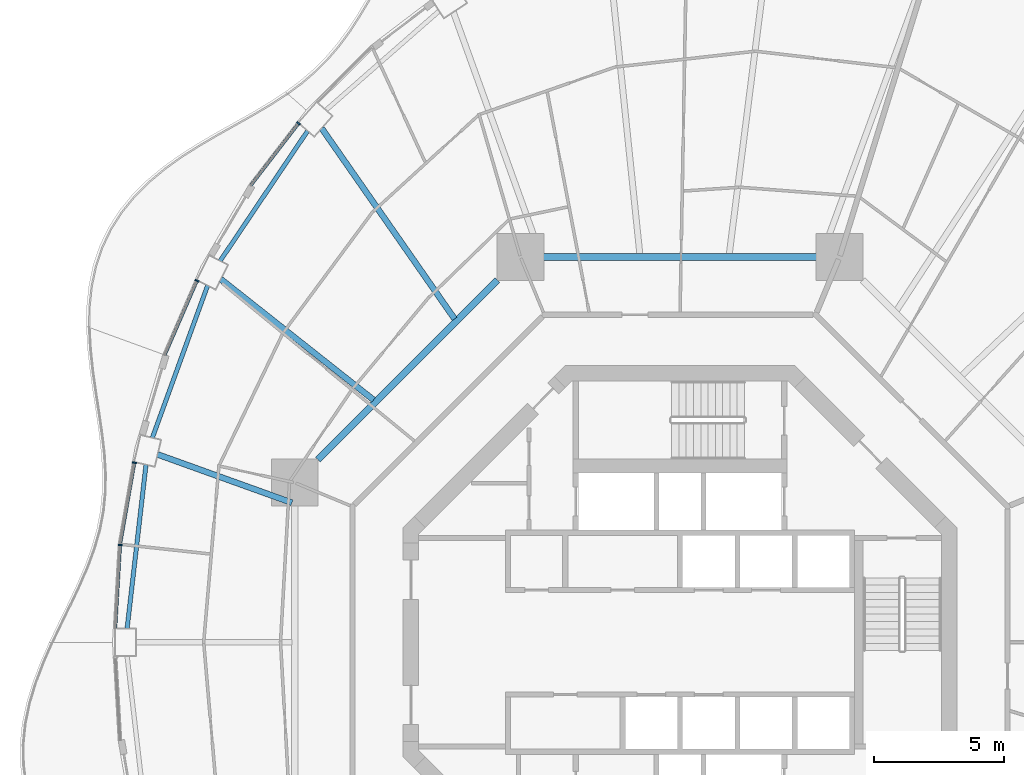
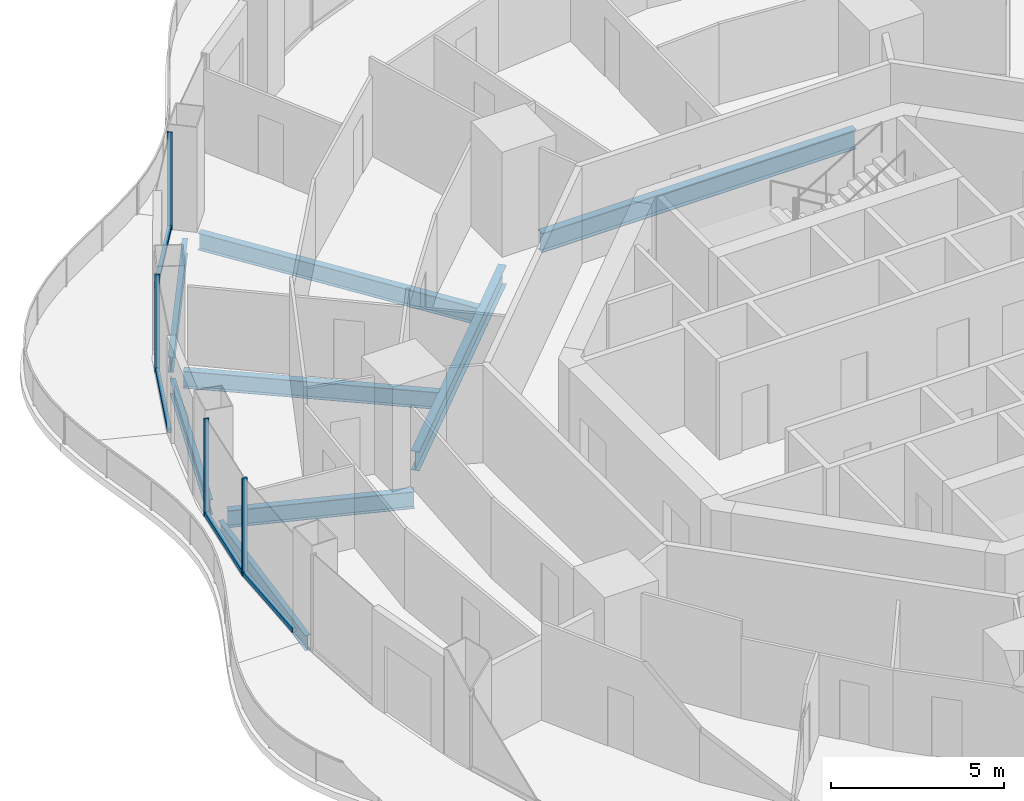
# One storey, part 6 of 19: 8 beams, 8 members, 4 elements without a shape of their own.
"""IFC4 building model written with IfcOpenShell, lengths in metres."""

from ifc_helpers import new_model, si_unit, direction, frame, origin, origin_2d, place, context, subcontext, project, spatial, rectangle, i_section, extrude, material, layer, layer_set, material_profile, profile_set, type_object, element, aggregate, save


model = new_model("IFC4")

# Units and contexts
model_context = context("Model", 3, precision=1e-05, world=origin(), true_north=direction((0.0, 1.0)))
body_context = subcontext(model_context, "Body", "Model", "MODEL_VIEW")
ifc_project = project(units=[si_unit("LENGTHUNIT", "METRE"), si_unit("AREAUNIT", "SQUARE_METRE"), si_unit("VOLUMEUNIT", "CUBIC_METRE"), si_unit("PLANEANGLEUNIT", "RADIAN"), si_unit("MASSUNIT", "GRAM", prefix="KILO")], contexts=[model_context])

# Site, building, storey
site_placement = place(None, origin())
site = spatial("IfcSite", under=ifc_project, at=site_placement, CompositionType="ELEMENT")
building_placement = place(site_placement, origin())
building = spatial("IfcBuilding", under=site, at=building_placement, Name="Nagisa Residences", CompositionType="ELEMENT")
storey_placement = place(building_placement, frame((0.0, 0.0, 177.0)))
storey = spatial("IfcBuildingStorey", under=building, at=storey_placement, Name="L44", CompositionType="ELEMENT", Elevation=177.0)

# Curtain wall, member
ifc_material_1 = material(Name="Concrete-coloured aluminium curtain wall system", Category="concrete")
ifc_layer = layer(ifc_material_1, 0.159912109375)
ifc_layer_set = layer_set([ifc_layer], Name="CW1 CURTAIN WALL")
curtain_wall_type = type_object("IfcCurtainWallType", Name="CW1 CURTAIN WALL", PredefinedType="NOTDEFINED", material=ifc_layer_set)
curtain_wall_1_placement = place(storey_placement, origin())
curtain_wall_1 = element("IfcCurtainWall", 1, at=curtain_wall_1_placement, inside=storey, type_object=curtain_wall_type, Name="cw:CW1:L44:18", PredefinedType="NOTDEFINED")
ifc_material_2 = material(Name="Concrete-coloured aluminium", Category="concrete")
ifc_material_profile_1 = material_profile(ifc_material_2, rectangle(XDim=0.159912109375, YDim=0.06005859375, at=origin_2d()), Name="CW1 MULLION 160x60")
ifc_profile_set_1 = profile_set([ifc_material_profile_1], Name="Concrete-coloured aluminium")
member_type_1 = type_object("IfcMemberType", Name="CW1 MULLION 160x60", PredefinedType="MULLION", material=ifc_profile_set_1)
member_1_placement = place(storey_placement, frame((-14.633544921875, 19.909423828125, 0.0), z_axis=(0.0, 0.0, 1.0), x_axis=(0.792070340816, -0.610429828235, 0.0)))
member_1 = element("IfcMember", 2, at=member_1_placement, type_object=member_type_1, Name="CW1 mullion", PredefinedType="MULLION", context=body_context, shape_type="SweptSolid", body=[
    extrude(rectangle(XDim=0.159912109375, YDim=0.06005859375, at=origin_2d()), origin(), (0.0, 0.0, 1.0), 3.43994140625),
])

curtain_wall_2_placement = place(storey_placement, origin())
curtain_wall_2 = element("IfcCurtainWall", 3, at=curtain_wall_2_placement, inside=storey, type_object=curtain_wall_type, Name="cw:CW1:L44:20", PredefinedType="NOTDEFINED")
member_2_placement = place(storey_placement, frame((-18.53271484375, 13.87353515625, 0.0), z_axis=(0.0, 0.0, 1.0), x_axis=(0.917543276295, -0.397635934147, 0.0)))
member_2 = element("IfcMember", 4, at=member_2_placement, type_object=member_type_1, Name="CW1 mullion", PredefinedType="MULLION", context=body_context, shape_type="SweptSolid", body=[
    extrude(rectangle(XDim=0.159912109375, YDim=0.06005859375, at=origin_2d()), origin(), (0.0, 0.0, 1.0), 3.43994140625),
])

curtain_wall_3_placement = place(storey_placement, origin())
curtain_wall_3 = element("IfcCurtainWall", 5, at=curtain_wall_3_placement, inside=storey, type_object=curtain_wall_type, Name="cw:CW1:L44:22", PredefinedType="NOTDEFINED")
member_3_placement = place(storey_placement, frame((-20.931396484375, 6.88818359375, 0.0), z_axis=(0.0, 0.0, 1.0), x_axis=(0.985063604377, -0.172190868898, 0.0)))
member_3 = element("IfcMember", 6, at=member_3_placement, type_object=member_type_1, Name="CW1 mullion", PredefinedType="MULLION", context=body_context, shape_type="SweptSolid", body=[
    extrude(rectangle(XDim=0.159912109375, YDim=0.06005859375, at=origin_2d()), origin(), (0.0, 0.0, 1.0), 3.43994140625),
])

curtain_wall_4_placement = place(storey_placement, origin())
curtain_wall_4 = element("IfcCurtainWall", 7, at=curtain_wall_4_placement, inside=storey, type_object=curtain_wall_type, Name="cw:CW1:L44:23", PredefinedType="NOTDEFINED")
member_4_placement = place(storey_placement, frame((-21.479736328125, 3.734375, 0.0), z_axis=(0.0, 0.0, 1.0), x_axis=(0.998345305184, -0.057503492216, 0.0)))
member_4 = element("IfcMember", 8, at=member_4_placement, type_object=member_type_1, Name="CW1 mullion", PredefinedType="MULLION", context=body_context, shape_type="SweptSolid", body=[
    extrude(rectangle(XDim=0.159912109375, YDim=0.06005859375, at=origin_2d()), origin(), (0.0, 0.0, 1.0), 3.43994140625),
])

# Member
ifc_material_3 = material(Name="Concrete-coloured aluminium", Category="concrete")
ifc_material_profile_2 = material_profile(ifc_material_3, rectangle(XDim=0.1201171875, YDim=0.14990234375, at=origin_2d()), Name="CW1 TRANSOM 120x150")
ifc_profile_set_2 = profile_set([ifc_material_profile_2], Name="Concrete-coloured aluminium")
member_type_2 = type_object("IfcMemberType", Name="CW1 TRANSOM 120x150", PredefinedType="USERDEFINED", material=ifc_profile_set_2)
member_5_placement = place(storey_placement, frame((-14.615234375, 19.933349609375, 0.074951171875), z_axis=(-0.610398538814, -0.792094453846, 0.0), x_axis=(0.792094453846, -0.610398538814, 0.0)))
member_5 = element("IfcMember", 9, at=member_5_placement, type_object=member_type_2, Name="CW1 transom", ObjectType="TRANSOM", PredefinedType="USERDEFINED", context=body_context, shape_type="SweptSolid", body=[
    extrude(rectangle(XDim=0.1201171875, YDim=0.14990234375, at=origin_2d()), origin(), (0.0, 0.0, 1.0), 3.035400390625),
])

aggregate(curtain_wall_1, [member_1, member_5])

member_6_placement = place(storey_placement, frame((-18.520751953125, 13.901123046875, 0.074951171875), z_axis=(-0.397592173732, -0.917562239517, 0.0), x_axis=(0.917562239517, -0.397592173732, 0.0)))
member_6 = element("IfcMember", 10, at=member_6_placement, type_object=member_type_2, Name="CW1 transom", ObjectType="TRANSOM", PredefinedType="USERDEFINED", context=body_context, shape_type="SweptSolid", body=[
    extrude(rectangle(XDim=0.1201171875, YDim=0.14990234375, at=origin_2d()), origin(), (0.0, 0.0, 1.0), 3.14208984375),
])

aggregate(curtain_wall_2, [member_2, member_6])

member_7_placement = place(storey_placement, frame((-20.92626953125, 6.917724609375, 0.074951171875), z_axis=(-0.172162664901, -0.98506853407, 0.0), x_axis=(0.98506853407, -0.172162664901, 0.0)))
member_7 = element("IfcMember", 11, at=member_7_placement, type_object=member_type_2, Name="CW1 transom", ObjectType="TRANSOM", PredefinedType="USERDEFINED", context=body_context, shape_type="SweptSolid", body=[
    extrude(rectangle(XDim=0.1201171875, YDim=0.14990234375, at=origin_2d()), origin(), (0.0, 0.0, 1.0), 3.21044921875),
])

aggregate(curtain_wall_3, [member_3, member_7])

member_8_placement = place(storey_placement, frame((-21.47802734375, 3.764404296875, 0.074951171875), z_axis=(-0.057528345118, -0.998343873376, 0.0), x_axis=(0.998343873376, -0.057528345118, 0.0)))
member_8 = element("IfcMember", 12, at=member_8_placement, type_object=member_type_2, Name="CW1 transom", ObjectType="TRANSOM", PredefinedType="USERDEFINED", context=body_context, shape_type="SweptSolid", body=[
    extrude(rectangle(XDim=0.1201171875, YDim=0.14990234375, at=origin_2d()), origin(), (0.0, 0.0, 1.0), 3.225341796875),
])

aggregate(curtain_wall_4, [member_4, member_8])

# Beams
ifc_material_4 = material(Name="Steel ASTM A572 Gr 50", Category="steel")
ifc_material_profile_3 = material_profile(ifc_material_4, i_section(OverallWidth=0.25390625, OverallDepth=0.68408203125, WebThickness=0.012451171875, FlangeThickness=0.018798828125, at=origin_2d()), Name="W690x140")
ifc_profile_set_3 = profile_set([ifc_material_profile_3], Name="Steel ASTM A572 Gr 50")
beam_type_1 = type_object("IfcBeamType", Name="Inner ring beam W690x140", PredefinedType="BEAM", material=ifc_profile_set_3)
beam_1_placement = place(storey_placement, frame((5.242919921875, 14.781982421875, -0.60205078125), z_axis=(-1.0, 0.0, 0.0), x_axis=(0.0, -1.0, 0.0)))
element("IfcBeam", 13, at=beam_1_placement, inside=storey, type_object=beam_type_1, Name="beam:L44:ib2", PredefinedType="BEAM", context=body_context, shape_type="SweptSolid", body=[
    extrude(i_section(OverallWidth=0.25390625, OverallDepth=0.68408203125, WebThickness=0.012451171875, FlangeThickness=0.018798828125, at=origin_2d()), origin(), (0.0, 0.0, 1.0), 10.48583984375),
])
beam_2_placement = place(storey_placement, frame((-7.0087890625, 13.896240234375, -0.60205078125), z_axis=(-0.707106781187, -0.707106781187, 0.0), x_axis=(0.707106781187, -0.707106781187, 0.0)))
element("IfcBeam", 14, at=beam_2_placement, inside=storey, type_object=beam_type_1, Name="beam:L44:ib3", PredefinedType="BEAM", context=body_context, shape_type="SweptSolid", body=[
    extrude(i_section(OverallWidth=0.25390625, OverallDepth=0.68408203125, WebThickness=0.012451171875, FlangeThickness=0.018798828125, at=origin_2d()), origin(), (0.0, 0.0, 1.0), 9.740234375),
])
ifc_material_5 = material(Name="Steel ASTM A572 Gr 50", Category="steel")
ifc_material_profile_4 = material_profile(ifc_material_5, i_section(OverallWidth=0.166015625, OverallDepth=0.534912109375, WebThickness=0.01025390625, FlangeThickness=0.0166015625, at=origin_2d()), Name="W530x85")
ifc_profile_set_4 = profile_set([ifc_material_profile_4], Name="Steel ASTM A572 Gr 50")
beam_type_2 = type_object("IfcBeamType", Name="Perimeter ring beam W530x85", PredefinedType="BEAM", material=ifc_profile_set_4)
beam_3_placement = place(storey_placement, frame((-14.28759765625, 19.62060546875, -0.527587890625), z_axis=(-0.558152301307, -0.829738518177, 0.0), x_axis=(0.829738518177, -0.558152301307, 0.0)))
element("IfcBeam", 15, at=beam_3_placement, inside=storey, type_object=beam_type_2, Name="beam:L44:pb10", PredefinedType="BEAM", context=body_context, shape_type="SweptSolid", body=[
    extrude(i_section(OverallWidth=0.166015625, OverallDepth=0.534912109375, WebThickness=0.01025390625, FlangeThickness=0.0166015625, at=origin_2d()), origin(), (0.0, 0.0, 1.0), 6.013916015625),
])
beam_4_placement = place(storey_placement, frame((-18.124755859375, 13.685546875, -0.527587890625), z_axis=(-0.341285525681, -0.939959674646, 0.0), x_axis=(0.939959674646, -0.341285525681, 0.0)))
element("IfcBeam", 16, at=beam_4_placement, inside=storey, type_object=beam_type_2, Name="beam:L44:pb11", PredefinedType="BEAM", context=body_context, shape_type="SweptSolid", body=[
    extrude(i_section(OverallWidth=0.166015625, OverallDepth=0.534912109375, WebThickness=0.01025390625, FlangeThickness=0.0166015625, at=origin_2d()), origin(), (0.0, 0.0, 1.0), 6.212890625),
])
beam_5_placement = place(storey_placement, frame((-20.488525390625, 6.813720703125, -0.527587890625), z_axis=(-0.114670987431, -0.993403525583, 0.0), x_axis=(0.993403525583, -0.114670987431, 0.0)))
element("IfcBeam", 17, at=beam_5_placement, inside=storey, type_object=beam_type_2, Name="beam:L44:pb12", PredefinedType="BEAM", context=body_context, shape_type="SweptSolid", body=[
    extrude(i_section(OverallWidth=0.166015625, OverallDepth=0.534912109375, WebThickness=0.01025390625, FlangeThickness=0.0166015625, at=origin_2d()), origin(), (0.0, 0.0, 1.0), 6.325439453125),
])
ifc_material_6 = material(Name="Steel ASTM A572 Gr 50", Category="steel")
ifc_material_profile_5 = material_profile(ifc_material_6, i_section(OverallWidth=0.22802734375, OverallDepth=0.60302734375, WebThickness=0.010498046875, FlangeThickness=0.014892578125, at=origin_2d()), Name="W610x101")
ifc_profile_set_5 = profile_set([ifc_material_profile_5], Name="Steel ASTM A572 Gr 50")
beam_type_3 = type_object("IfcBeamType", Name="Radial beam W610x101", PredefinedType="BEAM", material=ifc_profile_set_5)
beam_6_placement = place(storey_placement, frame((-13.75048828125, 19.7216796875, -0.5615234375), z_axis=(0.571934479253, -0.82029930601, 0.0), x_axis=(0.82029930601, 0.571934479253, 0.0)))
element("IfcBeam", 18, at=beam_6_placement, inside=storey, type_object=beam_type_3, Name="beam:L44:rb10", PredefinedType="BEAM", context=body_context, shape_type="SweptSolid", body=[
    extrude(i_section(OverallWidth=0.22802734375, OverallDepth=0.60302734375, WebThickness=0.010498046875, FlangeThickness=0.014892578125, at=origin_2d()), origin(), (0.0, 0.0, 1.0), 8.917724609375),
])
beam_7_placement = place(storey_placement, frame((-17.617919921875, 13.930908203125, -0.5615234375), z_axis=(0.784411523752, -0.620240728593, 0.0), x_axis=(0.620240728593, 0.784411523752, 0.0)))
element("IfcBeam", 19, at=beam_7_placement, inside=storey, type_object=beam_type_3, Name="beam:L44:rb11", PredefinedType="BEAM", context=body_context, shape_type="SweptSolid", body=[
    extrude(i_section(OverallWidth=0.22802734375, OverallDepth=0.60302734375, WebThickness=0.010498046875, FlangeThickness=0.014892578125, at=origin_2d()), origin(), (0.0, 0.0, 1.0), 7.4697265625),
])
beam_8_placement = place(storey_placement, frame((-20.043701171875, 7.2060546875, -0.5615234375), z_axis=(0.941032808963, -0.338315315137, 0.0), x_axis=(0.338315315137, 0.941032808963, 0.0)))
element("IfcBeam", 20, at=beam_8_placement, inside=storey, type_object=beam_type_3, Name="beam:L44:rb12", PredefinedType="BEAM", context=body_context, shape_type="SweptSolid", body=[
    extrude(i_section(OverallWidth=0.22802734375, OverallDepth=0.60302734375, WebThickness=0.010498046875, FlangeThickness=0.014892578125, at=origin_2d()), origin(), (0.0, 0.0, 1.0), 5.4765625),
])

save(model, "model.ifc")
